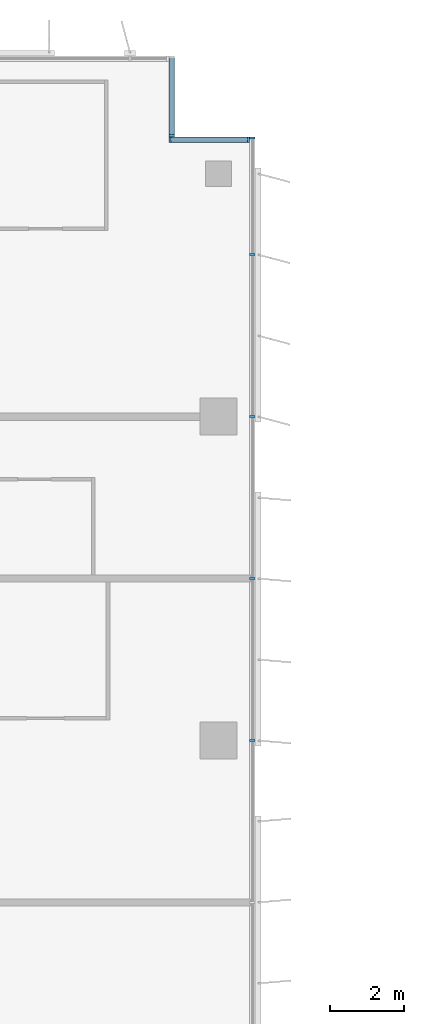
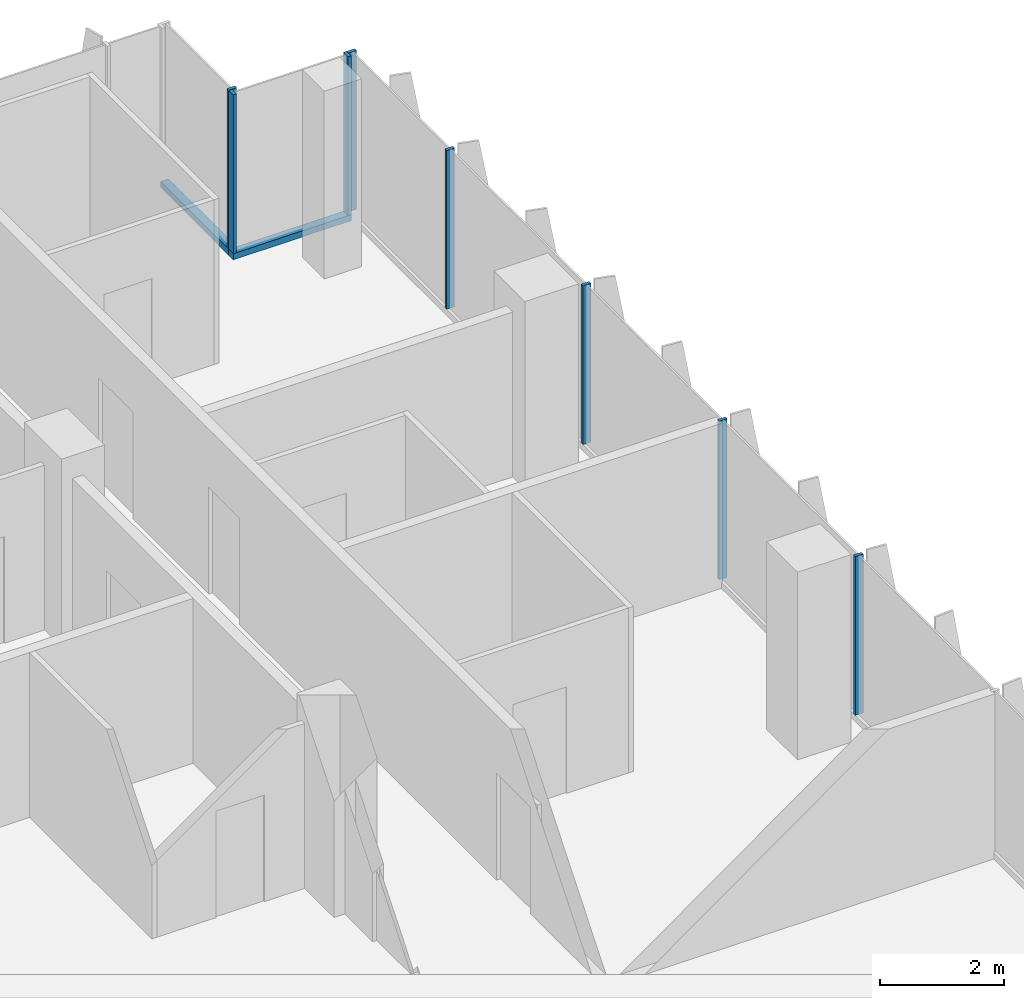
# One storey, part 7 of 20: 10 members, 3 elements without a shape of their own.
"""IFC4 building model written with IfcOpenShell, lengths in metres."""

from ifc_helpers import new_model, si_unit, direction, frame, origin, origin_2d, place, context, subcontext, project, spatial, rectangle, extrude, source, transform, mapped, material, material_profile, profile_set, type_object, element, aggregate, save


model = new_model("IFC4")

# Units and contexts
model_context = context("Model", 3, precision=1e-05, world=origin(), true_north=direction((0.0, 1.0)))
body_context = subcontext(model_context, "Body", "Model", "MODEL_VIEW")
ifc_project = project(units=[si_unit("LENGTHUNIT", "METRE"), si_unit("AREAUNIT", "SQUARE_METRE"), si_unit("VOLUMEUNIT", "CUBIC_METRE"), si_unit("PLANEANGLEUNIT", "RADIAN"), si_unit("MASSUNIT", "GRAM", prefix="KILO")], contexts=[model_context])

# Site, building, storey
site_placement = place(None, origin())
site = spatial("IfcSite", under=ifc_project, at=site_placement, CompositionType="ELEMENT")
building_placement = place(site_placement, origin())
building = spatial("IfcBuilding", under=site, at=building_placement, Name="Kemantara Hotel Tower", CompositionType="ELEMENT")
storey_placement = place(building_placement, frame((0.0, 0.0, 190.10009765625)))
storey = spatial("IfcBuildingStorey", under=building, at=storey_placement, Name="L47", CompositionType="ELEMENT", Elevation=190.10009765625)

# Curtain wall, member
ifc_material_1 = material(Name="Low-E tinted double insulated glass 36 mm", Category="glass")
curtain_wall_type = type_object("IfcCurtainWallType", Name="TOWER CURTAIN WALL, FRONT FACES", PredefinedType="USERDEFINED", material=ifc_material_1)
curtain_wall_1_placement = place(storey_placement, origin())
curtain_wall_1 = element("IfcCurtainWall", 1, at=curtain_wall_1_placement, inside=storey, type_object=curtain_wall_type, Name="CW4 L47 T3-R00-1", ObjectType="TOWER CURTAIN WALL, FRONT FACES", PredefinedType="USERDEFINED")
ifc_material_2 = material(Name="Aluminium 6063-T6 bronze anodised", Category="aluminium")
ifc_material_profile_1 = material_profile(ifc_material_2, rectangle(XDim=0.14990234375, YDim=0.1201171875, at=origin_2d()), Name="TOWER CURTAIN WALL, FRONT FACES TRANSOM")
ifc_profile_set_1 = profile_set([ifc_material_profile_1], Name="Aluminium 6063-T6 bronze anodised")
member_type_1 = type_object("IfcMemberType", Name="TOWER CURTAIN WALL, FRONT FACES TRANSOM", PredefinedType="USERDEFINED", material=ifc_profile_set_1)
member_1_placement = place(storey_placement, frame((21.85009765625, 61.324951171875, 0.059814453125), z_axis=(-1.0, 0.0, 0.0), x_axis=(0.0, -1.0, 0.0)))
member_1 = element("IfcMember", 2, at=member_1_placement, type_object=member_type_1, Name="CW4 sill transom T3-R00-1", ObjectType="TRANSOM", PredefinedType="USERDEFINED", context=body_context, shape_type="SweptSolid", body=[
    extrude(rectangle(XDim=0.14990234375, YDim=0.1201171875, at=origin_2d()), origin(), (0.0, 0.0, 1.0), 2.2001953125),
])

curtain_wall_2_placement = place(storey_placement, origin())
curtain_wall_2 = element("IfcCurtainWall", 3, at=curtain_wall_2_placement, inside=storey, type_object=curtain_wall_type, Name="CW4 L47 T3-R01-1", ObjectType="TOWER CURTAIN WALL, FRONT FACES", PredefinedType="USERDEFINED")
member_2_placement = place(storey_placement, frame((19.72509765625, 61.39990234375, 0.059814453125), z_axis=(0.0, 1.0, 0.0), x_axis=(-1.0, 0.0, 0.0)))
member_2 = element("IfcMember", 4, at=member_2_placement, type_object=member_type_1, Name="CW4 sill transom T3-R01-1", ObjectType="TRANSOM", PredefinedType="USERDEFINED", context=body_context, shape_type="SweptSolid", body=[
    extrude(rectangle(XDim=0.14990234375, YDim=0.1201171875, at=origin_2d()), origin(), (0.0, 0.0, 1.0), 2.2001953125),
])

# Curtain wall, members
curtain_wall_3_placement = place(storey_placement, origin())
curtain_wall_3 = element("IfcCurtainWall", 5, at=curtain_wall_3_placement, inside=storey, type_object=curtain_wall_type, Name="CW4 L47 T3-R17-1", ObjectType="TOWER CURTAIN WALL, FRONT FACES", PredefinedType="USERDEFINED")
ifc_material_profile_2 = material_profile(ifc_material_2, rectangle(XDim=0.14990234375, YDim=0.06005859375, at=origin_2d()), Name="TOWER CURTAIN WALL, FRONT FACES MULLION")
ifc_profile_set_2 = profile_set([ifc_material_profile_2], Name="Aluminium 6063-T6 bronze anodised")
member_type_2 = type_object("IfcMemberType", Name="TOWER CURTAIN WALL, FRONT FACES MULLION", PredefinedType="MULLION", material=ifc_profile_set_2)
shared_shape = source(origin(), body_context, "Body", "SweptSolid", [
    extrude(rectangle(XDim=0.14990234375, YDim=0.06005859375, at=origin_2d()), origin(), (0.0, 0.0, 1.0), 3.130126953125),
])
member_3_placement = place(storey_placement, frame((21.925048828125, 45.0, 0.119873046875), z_axis=(0.0, 0.0, 1.0), x_axis=(-1.0, 0.0, 0.0)))
member_3 = element("IfcMember", 6, at=member_3_placement, type_object=member_type_2, Name="CW4 mullion T3-R17-1.6", PredefinedType="MULLION", context=body_context, shape_type="MappedRepresentation", body=[
    mapped(shared_shape, transform((0.0, 0.0, 0.0))),
])
member_4_placement = place(storey_placement, frame((21.925048828125, 49.39990234375, 0.119873046875), z_axis=(0.0, 0.0, 1.0), x_axis=(-1.0, 0.0, 0.0)))
member_4 = element("IfcMember", 7, at=member_4_placement, type_object=member_type_2, Name="CW4 mullion T3-R17-1.7", PredefinedType="MULLION", context=body_context, shape_type="MappedRepresentation", body=[
    mapped(shared_shape, transform((0.0, 0.0, 0.0))),
])
member_5_placement = place(storey_placement, frame((21.925048828125, 53.800048828125, 0.119873046875), z_axis=(0.0, 0.0, 1.0), x_axis=(-1.0, 0.0, 0.0)))
member_5 = element("IfcMember", 8, at=member_5_placement, type_object=member_type_2, Name="CW4 mullion T3-R17-1.8", PredefinedType="MULLION", context=body_context, shape_type="MappedRepresentation", body=[
    mapped(shared_shape, transform((0.0, 0.0, 0.0))),
])
member_6_placement = place(storey_placement, frame((21.925048828125, 58.199951171875, 0.119873046875), z_axis=(0.0, 0.0, 1.0), x_axis=(-1.0, 0.0, 0.0)))
member_6 = element("IfcMember", 9, at=member_6_placement, type_object=member_type_2, Name="CW4 mullion T3-R17-1.9", PredefinedType="MULLION", context=body_context, shape_type="MappedRepresentation", body=[
    mapped(shared_shape, transform((0.0, 0.0, 0.0))),
])
member_7_placement = place(storey_placement, frame((21.925048828125, 61.3701171875, 0.119873046875), z_axis=(0.0, 0.0, 1.0), x_axis=(-1.0, 0.0, 0.0)))
member_7 = element("IfcMember", 10, at=member_7_placement, type_object=member_type_2, Name="CW4 mullion T3-R17-1.10", PredefinedType="MULLION", context=body_context, shape_type="MappedRepresentation", body=[
    mapped(shared_shape, transform((0.0, 0.0, 0.0))),
])
aggregate(curtain_wall_3, [member_3, member_4, member_5, member_6, member_7])

# Member
member_8_placement = place(storey_placement, frame((21.820068359375, 61.324951171875, 0.119873046875), z_axis=(0.0, 0.0, 1.0), x_axis=(0.0, -1.0, 0.0)))
member_8 = element("IfcMember", 11, at=member_8_placement, type_object=member_type_2, Name="CW4 mullion T3-R00-1.1", PredefinedType="MULLION", context=body_context, shape_type="MappedRepresentation", body=[
    mapped(shared_shape, transform((0.0, 0.0, 0.0))),
])

member_9_placement = place(storey_placement, frame((19.679931640625, 61.324951171875, 0.119873046875), z_axis=(0.0, 0.0, 1.0), x_axis=(0.0, -1.0, 0.0)))
member_9 = element("IfcMember", 12, at=member_9_placement, type_object=member_type_2, Name="CW4 mullion T3-R00-1.2", PredefinedType="MULLION", context=body_context, shape_type="MappedRepresentation", body=[
    mapped(shared_shape, transform((0.0, 0.0, 0.0))),
])

aggregate(curtain_wall_1, [member_1, member_8, member_9])

member_10_placement = place(storey_placement, frame((19.72509765625, 61.429931640625, 0.119873046875), z_axis=(0.0, 0.0, 1.0), x_axis=(-1.0, 0.0, 0.0)))
member_10 = element("IfcMember", 13, at=member_10_placement, type_object=member_type_2, Name="CW4 mullion T3-R01-1.1", PredefinedType="MULLION", context=body_context, shape_type="MappedRepresentation", body=[
    mapped(shared_shape, transform((0.0, 0.0, 0.0))),
])

aggregate(curtain_wall_2, [member_2, member_10])

save(model, "model.ifc")
